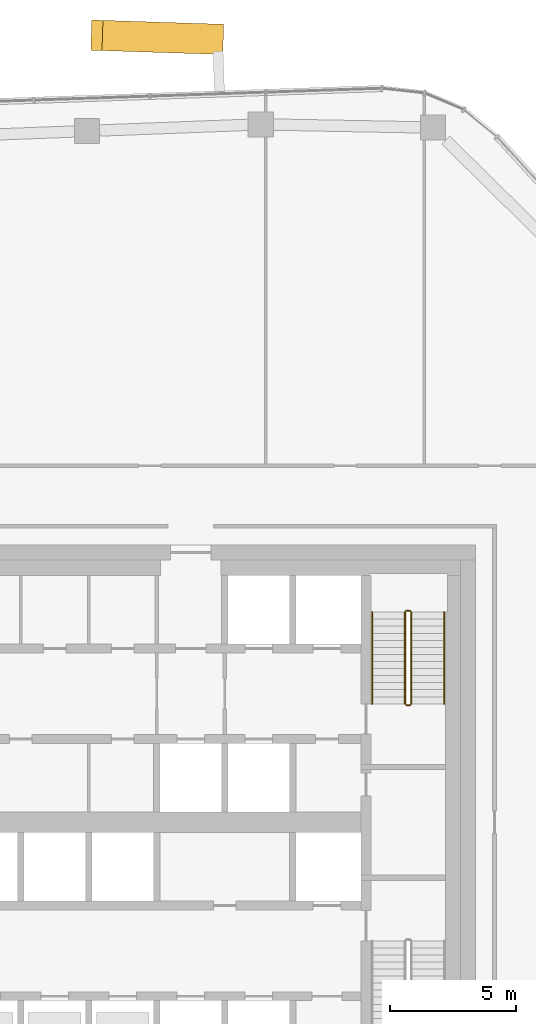
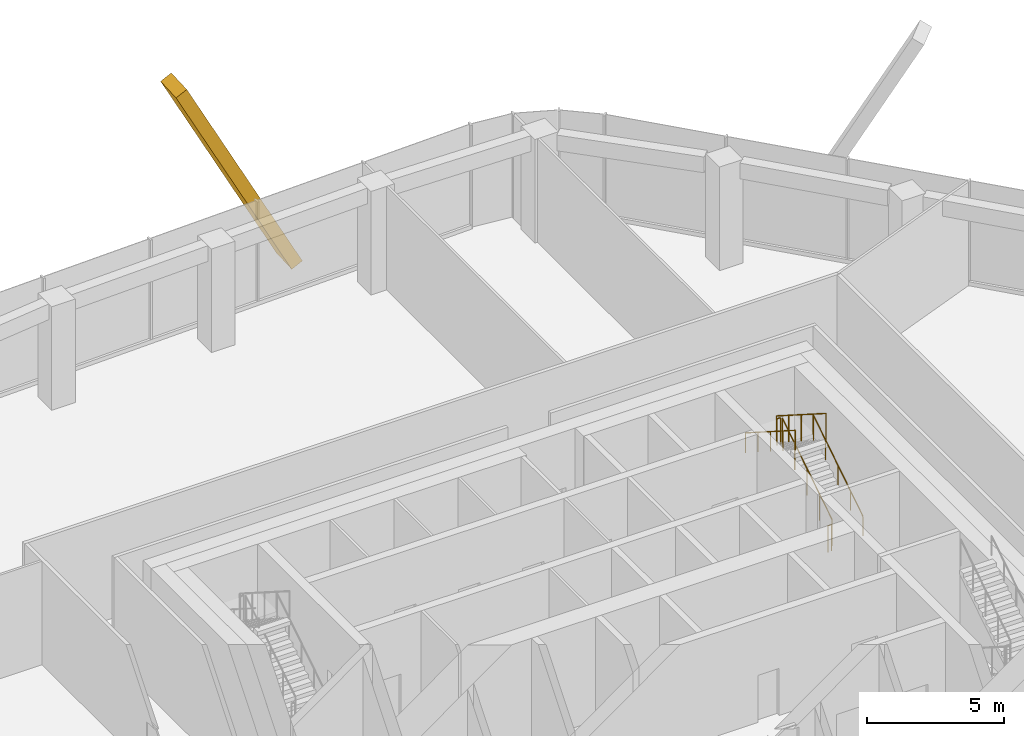
# One storey, part 18 of 20: 6 railings, 1 covering, 1 element without a shape of its own.
"""IFC4 building model written with IfcOpenShell, lengths in metres."""

from ifc_helpers import new_model, si_unit, direction, frame, origin, origin_2d, place, context, subcontext, project, spatial, rectangle, circle, extrude, material, layer, layer_set, material_profile, profile_set, type_object, element, aggregate, save


model = new_model("IFC4")

# Units and contexts
model_context = context("Model", 3, precision=1e-05, world=origin(), true_north=direction((0.0, 1.0)))
body_context = subcontext(model_context, "Body", "Model", "MODEL_VIEW")
ifc_project = project(units=[si_unit("LENGTHUNIT", "METRE"), si_unit("AREAUNIT", "SQUARE_METRE"), si_unit("VOLUMEUNIT", "CUBIC_METRE"), si_unit("PLANEANGLEUNIT", "RADIAN"), si_unit("MASSUNIT", "GRAM", prefix="KILO")], contexts=[model_context])

# Site, building, storey
site_placement = place(None, origin())
site = spatial("IfcSite", under=ifc_project, at=site_placement, CompositionType="ELEMENT")
building_placement = place(site_placement, origin())
building = spatial("IfcBuilding", under=site, at=building_placement, Name="Dongbaek Canopy Tower", CompositionType="ELEMENT")
storey_placement = place(building_placement, frame((0.0, 0.0, 289.199951171875)))
storey = spatial("IfcBuildingStorey", under=building, at=storey_placement, Name="L61", CompositionType="ELEMENT", Elevation=289.199951171875)

# Curtain wall, covering
ifc_material_1 = material(Name="Aluminium 6063-T6 pale anodised", Category="aluminium")
ifc_layer = layer(ifc_material_1, 0.25)
ifc_layer_set = layer_set([ifc_layer], Name="CW-4 sky-lobby curtain wall")
curtain_wall_type = type_object("IfcCurtainWallType", Name="CW-4 sky-lobby curtain wall", PredefinedType="NOTDEFINED", material=ifc_layer_set)
curtain_wall_placement = place(storey_placement, origin())
curtain_wall = element("IfcCurtainWall", 1, at=curtain_wall_placement, inside=storey, type_object=curtain_wall_type, Name="CW-4 curtain wall F1.1", PredefinedType="NOTDEFINED")
ifc_material_2 = material(Name="Aluminium 6063-T6 pale metal fin", Category="aluminium")
ifc_material_profile = material_profile(ifc_material_2, rectangle(XDim=1.199951171875, YDim=0.5, at=origin_2d()), Name="Crease fin CF1 500 x 1200 pale metal")
ifc_profile_set = profile_set([ifc_material_profile], Name="Aluminium 6063-T6 pale metal fin")
covering_type = type_object("IfcCoveringType", Name="Crease fin CF1 500 x 1200 pale metal", PredefinedType="CLADDING", material=ifc_profile_set)
covering_placement = place(storey_placement, frame((3.76611328125, 31.070068359375, -0.224853515625), z_axis=(-0.460663750072, 0.014921423226, 0.887449300241), x_axis=(-0.032374159471, -0.999475819517, 0.0)))
covering = element("IfcCovering", 2, at=covering_placement, type_object=covering_type, Name="Crease fin L61 L63 F1", PredefinedType="CLADDING", context=body_context, shape_type="SweptSolid", body=[
    extrude(rectangle(XDim=1.199951171875, YDim=0.5, at=origin_2d()), origin(), (0.0, 0.0, 1.0), 10.406005859375),
])
aggregate(curtain_wall, [covering])

# Railings
ifc_material_3 = material(Name="Stainless steel tube and balusters", Category="steel")
railing_type_1 = type_object("IfcRailingType", Name="Stair guard 1200", PredefinedType="GUARDRAIL", material=ifc_material_3)
railing_1_placement = place(storey_placement, frame((11.449951171875, 4.699951171875, 0.1787109375)))
element("IfcRailing", 3, at=railing_1_placement, inside=storey, type_object=railing_type_1, Name="L61 ST-A stair guard 1", PredefinedType="GUARDRAIL", context=body_context, shape_type="SweptSolid", body=[
    extrude(circle(Radius=0.02392578125, at=origin_2d()), frame((0.0, 0.0, 1.17578125), z_axis=(0.0, 0.843153495434, 0.537672933239), x_axis=(-1.0, 0.0, 0.0)), (0.0, 0.0, 1.0), 4.3173828125),
    extrude(circle(Radius=0.02099609375, at=origin_2d()), origin(), (0.0, 0.0, 1.0), 1.15185546875),
    extrude(circle(Radius=0.02099609375, at=origin_2d()), frame((0.0, 0.91015625, 0.580322265625)), (0.0, 0.0, 1.0), 1.15185546875),
    extrude(circle(Radius=0.02099609375, at=origin_2d()), frame((0.0, 1.820068359375, 1.16064453125)), (0.0, 0.0, 1.0), 1.15185546875),
    extrude(circle(Radius=0.02099609375, at=origin_2d()), frame((0.0, 2.72998046875, 1.740966796875)), (0.0, 0.0, 1.0), 1.15185546875),
    extrude(circle(Radius=0.02099609375, at=origin_2d()), frame((0.0, 3.64013671875, 2.3212890625)), (0.0, 0.0, 1.0), 1.15185546875),
])
railing_2_placement = place(storey_placement, frame((11.39990234375, 8.389892578125, 2.5)))
element("IfcRailing", 4, at=railing_2_placement, inside=storey, type_object=railing_type_1, Name="L61 ST-A stair guard 2", PredefinedType="GUARDRAIL", context=body_context, shape_type="SweptSolid", body=[
    extrude(circle(Radius=0.02392578125, at=origin_2d()), frame((0.0, 0.0, 1.17578125), z_axis=(-1.0, 0.0, 0.0), x_axis=(0.0, -1.0, 0.0)), (0.0, 0.0, 1.0), 0.14990234375),
    extrude(circle(Radius=0.02099609375, at=origin_2d()), origin(), (0.0, 0.0, 1.0), 1.15185546875),
    extrude(circle(Radius=0.02099609375, at=origin_2d()), frame((-0.14990234375, 0.0, 0.0)), (0.0, 0.0, 1.0), 1.15185546875),
])
railing_3_placement = place(storey_placement, frame((11.199951171875, 8.340087890625, 2.6787109375)))
element("IfcRailing", 5, at=railing_3_placement, inside=storey, type_object=railing_type_1, Name="L61 ST-A stair guard 3", PredefinedType="GUARDRAIL", context=body_context, shape_type="SweptSolid", body=[
    extrude(circle(Radius=0.02392578125, at=origin_2d()), frame((0.0, 0.0, 1.17578125), z_axis=(0.0, -0.843153495434, 0.537672933239), x_axis=(1.0, 0.0, 0.0)), (0.0, 0.0, 1.0), 4.3173828125),
    extrude(circle(Radius=0.02099609375, at=origin_2d()), origin(), (0.0, 0.0, 1.0), 1.15185546875),
    extrude(circle(Radius=0.02099609375, at=origin_2d()), frame((0.0, -0.91015625, 0.580322265625)), (0.0, 0.0, 1.0), 1.15185546875),
    extrude(circle(Radius=0.02099609375, at=origin_2d()), frame((0.0, -1.820068359375, 1.16064453125)), (0.0, 0.0, 1.0), 1.15185546875),
    extrude(circle(Radius=0.02099609375, at=origin_2d()), frame((0.0, -2.72998046875, 1.740966796875)), (0.0, 0.0, 1.0), 1.15185546875),
    extrude(circle(Radius=0.02099609375, at=origin_2d()), frame((0.0, -3.64013671875, 2.3212890625)), (0.0, 0.0, 1.0), 1.15185546875),
])
railing_4_placement = place(storey_placement, frame((11.39990234375, 4.64990234375, 0.0)))
element("IfcRailing", 6, at=railing_4_placement, inside=storey, type_object=railing_type_1, Name="L61 ST-A stair guard 4", PredefinedType="GUARDRAIL", context=body_context, shape_type="SweptSolid", body=[
    extrude(circle(Radius=0.02392578125, at=origin_2d()), frame((0.0, 0.0, 1.17578125), z_axis=(-1.0, 0.0, 0.0), x_axis=(0.0, -1.0, 0.0)), (0.0, 0.0, 1.0), 0.14990234375),
    extrude(circle(Radius=0.02099609375, at=origin_2d()), origin(), (0.0, 0.0, 1.0), 1.15185546875),
    extrude(circle(Radius=0.02099609375, at=origin_2d()), frame((-0.14990234375, 0.0, 0.0)), (0.0, 0.0, 1.0), 1.15185546875),
])
ifc_material_4 = material(Name="Stainless steel tube", Category="steel")
railing_type_2 = type_object("IfcRailingType", Name="Stair handrail 900", PredefinedType="HANDRAIL", material=ifc_material_4)
railing_5_placement = place(storey_placement, frame((12.75, 4.699951171875, 0.1787109375)))
element("IfcRailing", 7, at=railing_5_placement, inside=storey, type_object=railing_type_2, Name="L61 ST-A stair handrail 1", PredefinedType="HANDRAIL", context=body_context, shape_type="SweptSolid", body=[
    extrude(circle(Radius=0.02392578125, at=origin_2d()), frame((0.0, 0.0, 0.8759765625), z_axis=(0.0, 0.843153495434, 0.537672933239), x_axis=(-1.0, 0.0, 0.0)), (0.0, 0.0, 1.0), 4.3173828125),
    extrude(circle(Radius=0.02099609375, at=origin_2d()), origin(), (0.0, 0.0, 1.0), 0.851806640625),
    extrude(circle(Radius=0.02099609375, at=origin_2d()), frame((0.0, 0.91015625, 0.580322265625)), (0.0, 0.0, 1.0), 0.851806640625),
    extrude(circle(Radius=0.02099609375, at=origin_2d()), frame((0.0, 1.820068359375, 1.16064453125)), (0.0, 0.0, 1.0), 0.851806640625),
    extrude(circle(Radius=0.02099609375, at=origin_2d()), frame((0.0, 2.72998046875, 1.740966796875)), (0.0, 0.0, 1.0), 0.851806640625),
    extrude(circle(Radius=0.02099609375, at=origin_2d()), frame((0.0, 3.64013671875, 2.3212890625)), (0.0, 0.0, 1.0), 0.851806640625),
])
railing_6_placement = place(storey_placement, frame((9.89990234375, 8.340087890625, 2.6787109375)))
element("IfcRailing", 8, at=railing_6_placement, inside=storey, type_object=railing_type_2, Name="L61 ST-A stair handrail 2", PredefinedType="HANDRAIL", context=body_context, shape_type="SweptSolid", body=[
    extrude(circle(Radius=0.02392578125, at=origin_2d()), frame((0.0, 0.0, 0.8759765625), z_axis=(0.0, -0.843153495434, 0.537672933239), x_axis=(1.0, 0.0, 0.0)), (0.0, 0.0, 1.0), 4.3173828125),
    extrude(circle(Radius=0.02099609375, at=origin_2d()), origin(), (0.0, 0.0, 1.0), 0.851806640625),
    extrude(circle(Radius=0.02099609375, at=origin_2d()), frame((0.0, -0.91015625, 0.580322265625)), (0.0, 0.0, 1.0), 0.851806640625),
    extrude(circle(Radius=0.02099609375, at=origin_2d()), frame((0.0, -1.820068359375, 1.16064453125)), (0.0, 0.0, 1.0), 0.851806640625),
    extrude(circle(Radius=0.02099609375, at=origin_2d()), frame((0.0, -2.72998046875, 1.740966796875)), (0.0, 0.0, 1.0), 0.851806640625),
    extrude(circle(Radius=0.02099609375, at=origin_2d()), frame((0.0, -3.64013671875, 2.3212890625)), (0.0, 0.0, 1.0), 0.851806640625),
])

save(model, "model.ifc")
